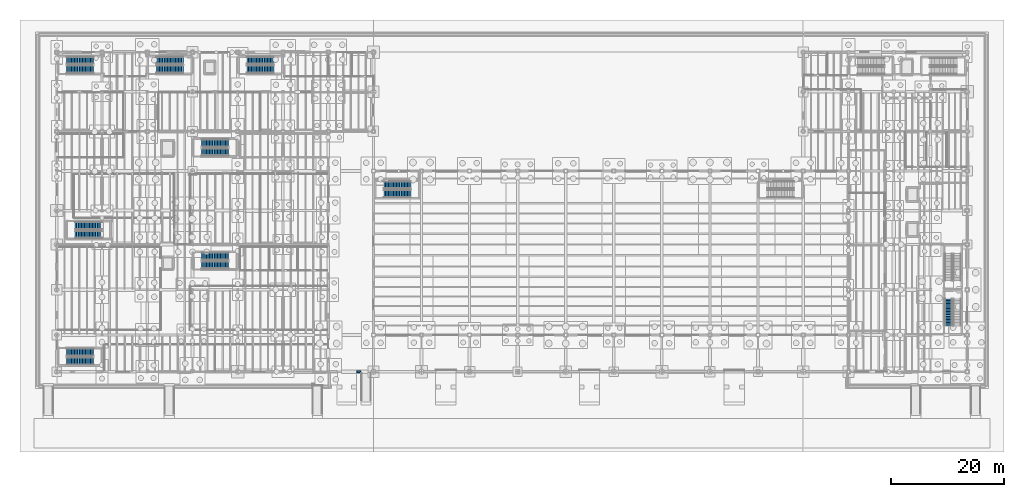
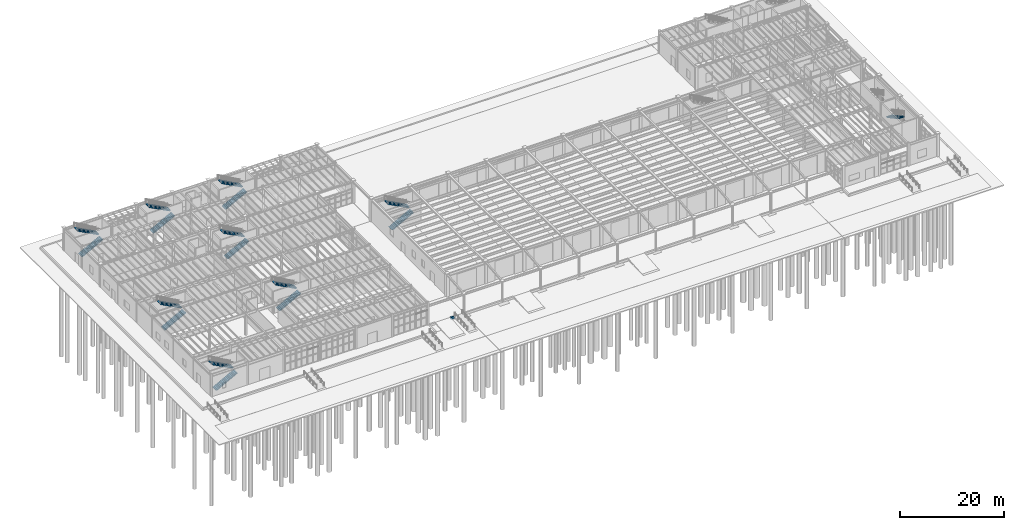
# One storey, part 72 of 86: 17 stair flights, 1 wall, 9 elements without a shape of their own.
"""IFC4 building model written with IfcOpenShell, lengths in metres."""

from ifc_helpers import new_model, si_unit, direction, frame, frame_2d, origin, place, context, subcontext, project, spatial, polyline, rectangle, outline, extrude, material, layer, layer_set, type_object, element, aggregate, save


model = new_model("IFC4")

# Units and contexts
model_context = context("Model", 3, precision=1e-05, world=origin(), true_north=direction((0.0, 1.0)))
body_context = subcontext(model_context, "Body", "Model", "MODEL_VIEW")
ifc_project = project(units=[si_unit("LENGTHUNIT", "METRE"), si_unit("AREAUNIT", "SQUARE_METRE"), si_unit("VOLUMEUNIT", "CUBIC_METRE"), si_unit("PLANEANGLEUNIT", "RADIAN"), si_unit("MASSUNIT", "GRAM", prefix="KILO"), si_unit("THERMODYNAMICTEMPERATUREUNIT", "KELVIN"), si_unit("POWERUNIT", "WATT")], contexts=[model_context])

# Site, building, storey
site_placement = place(None, origin())
site = spatial("IfcSite", under=ifc_project, at=site_placement, CompositionType="ELEMENT")
building_placement = place(site_placement, origin())
building = spatial("IfcBuilding", under=site, at=building_placement, Name="Zhenchuan Central Fire Station", CompositionType="ELEMENT")
storey_placement = place(building_placement, frame((0.0, 0.0, 0.449951171875)))
storey = spatial("IfcBuildingStorey", under=building, at=storey_placement, Name="L01", CompositionType="ELEMENT", Elevation=0.449951171875)

# Wall
ifc_material = material(Name="Concrete C35/45", Category="concrete")
ifc_layer = layer(ifc_material, 0.320068359375, Name="Concrete C35/45", Category="concrete")
ifc_layer_set = layer_set([ifc_layer], Name="Concrete C35/45")
wall_type = type_object("IfcWallType", Name="EW-PLN320", PredefinedType="SOLIDWALL", material=ifc_layer_set)
wall_placement = place(storey_placement, frame((53.00390625, 0.0, -0.449951171875), z_axis=(0.0, 0.0, 1.0), x_axis=(1.0, 0.0, 0.0)))
element("IfcWall", 1, at=wall_placement, inside=storey, type_object=wall_type, Name="Plinth Perimeter Retaining Stem Wall FC-02", PredefinedType="SOLIDWALL", context=body_context, shape_type="SweptSolid", body=[
    extrude(rectangle(XDim=0.7919921875, YDim=0.320068359375, at=frame_2d((0.39599609375, 0.0))), origin(), (0.0, 0.0, 1.0), 0.449951171875),
])

# Stair, stair flights
stair_type = type_object("IfcStairType", Name="ST-CORE-L01", PredefinedType="HALF_TURN_STAIR", material=ifc_material)
stair_1_placement = place(storey_placement, origin())
stair_1 = element("IfcStair", 2, at=stair_1_placement, inside=storey, type_object=stair_type, Name="L01 Gallery West Exit Stair", PredefinedType="HALF_TURN_STAIR")
stair_flight_type = type_object("IfcStairFlightType", Name="SFL-CORE-L01", PredefinedType="STRAIGHT", material=ifc_material)
stair_flight_1_placement = place(storey_placement, frame((1.75, 1.875, 0.0), z_axis=(0.0, 0.0, 1.0), x_axis=(1.0, 0.0, 0.0)))
stair_flight_1 = element("IfcStairFlight", 3, at=stair_flight_1_placement, type_object=stair_flight_type, Name="ST-01 flight 1", NumberOfRisers=18, NumberOfTreads=17, PredefinedType="STRAIGHT", RiserHeight=0.15, TreadLength=0.28, context=body_context, shape_type="SweptSolid", body=[
    extrude(outline(polyline([(0.0, 0.0), (0.0, 0.14990234375), (0.280029296875, 0.14990234375), (0.280029296875, 0.300048828125), (0.56005859375, 0.300048828125), (0.56005859375, 0.449951171875), (0.840087890625, 0.449951171875), (0.840087890625, 0.60009765625), (1.1201171875, 0.60009765625), (1.1201171875, 0.75), (1.39990234375, 0.75), (1.39990234375, 0.89990234375), (1.679931640625, 0.89990234375), (1.679931640625, 1.050048828125), (1.9599609375, 1.050048828125), (1.9599609375, 1.199951171875), (2.239990234375, 1.199951171875), (2.239990234375, 1.35009765625), (2.52001953125, 1.35009765625), (2.52001953125, 1.5), (2.800048828125, 1.5), (2.800048828125, 1.64990234375), (3.080078125, 1.64990234375), (3.080078125, 1.800048828125), (3.360107421875, 1.800048828125), (3.360107421875, 1.949951171875), (3.639892578125, 1.949951171875), (3.639892578125, 2.10009765625), (3.919921875, 2.10009765625), (3.919921875, 2.25), (4.199951171875, 2.25), (4.199951171875, 2.39990234375), (4.47998046875, 2.39990234375), (4.47998046875, 2.550048828125), (4.760009765625, 2.550048828125), (4.760009765625, 2.699951171875), (4.760009765625, 2.36865234375), (0.338623046875, 0.0), (0.0, 0.0)])), frame((0.0, 0.675048828125, 0.0), z_axis=(0.0, -1.0, 0.0), x_axis=(1.0, 0.0, 0.0)), (0.0, 0.0, 1.0), 1.35009765625),
])
stair_flight_2_placement = place(storey_placement, frame((6.510009765625, 3.425048828125, 2.699951171875), z_axis=(0.0, 0.0, 1.0), x_axis=(-1.0, 0.0, 0.0)))
stair_flight_2 = element("IfcStairFlight", 4, at=stair_flight_2_placement, type_object=stair_flight_type, Name="ST-01 flight 2", NumberOfRisers=18, NumberOfTreads=17, PredefinedType="STRAIGHT", RiserHeight=0.15, TreadLength=0.28, context=body_context, shape_type="SweptSolid", body=[
    extrude(outline(polyline([(0.0, 0.0), (0.0, 0.14990234375), (0.280029296875, 0.14990234375), (0.280029296875, 0.300048828125), (0.56005859375, 0.300048828125), (0.56005859375, 0.449951171875), (0.840087890625, 0.449951171875), (0.840087890625, 0.60009765625), (1.1201171875, 0.60009765625), (1.1201171875, 0.75), (1.39990234375, 0.75), (1.39990234375, 0.89990234375), (1.679931640625, 0.89990234375), (1.679931640625, 1.050048828125), (1.9599609375, 1.050048828125), (1.9599609375, 1.199951171875), (2.239990234375, 1.199951171875), (2.239990234375, 1.35009765625), (2.52001953125, 1.35009765625), (2.52001953125, 1.5), (2.800048828125, 1.5), (2.800048828125, 1.64990234375), (3.080078125, 1.64990234375), (3.080078125, 1.800048828125), (3.360107421875, 1.800048828125), (3.360107421875, 1.949951171875), (3.639892578125, 1.949951171875), (3.639892578125, 2.10009765625), (3.919921875, 2.10009765625), (3.919921875, 2.25), (4.199951171875, 2.25), (4.199951171875, 2.39990234375), (4.47998046875, 2.39990234375), (4.47998046875, 2.550048828125), (4.760009765625, 2.550048828125), (4.760009765625, 2.699951171875), (4.760009765625, 2.36865234375), (0.338623046875, 0.0), (0.0, 0.0)])), frame((0.0, 0.675048828125, 0.0), z_axis=(0.0, -1.0, 0.0), x_axis=(1.0, 0.0, 0.0)), (0.0, 0.0, 1.0), 1.35009765625),
])
aggregate(stair_1, [stair_flight_1, stair_flight_2])

stair_2_placement = place(storey_placement, origin())
stair_2 = element("IfcStair", 5, at=stair_2_placement, inside=storey, type_object=stair_type, Name="L01 Gallery East Exit Stair", PredefinedType="HALF_TURN_STAIR")
stair_flight_3_placement = place(storey_placement, frame((25.6201171875, 18.875, 0.0), z_axis=(0.0, 0.0, 1.0), x_axis=(1.0, 0.0, 0.0)))
stair_flight_3 = element("IfcStairFlight", 6, at=stair_flight_3_placement, type_object=stair_flight_type, Name="ST-02 flight 1", NumberOfRisers=18, NumberOfTreads=17, PredefinedType="STRAIGHT", RiserHeight=0.15, TreadLength=0.28, context=body_context, shape_type="SweptSolid", body=[
    extrude(outline(polyline([(0.0, 0.0), (0.0, 0.14990234375), (0.280029296875, 0.14990234375), (0.280029296875, 0.300048828125), (0.56005859375, 0.300048828125), (0.56005859375, 0.449951171875), (0.840087890625, 0.449951171875), (0.840087890625, 0.60009765625), (1.1201171875, 0.60009765625), (1.1201171875, 0.75), (1.39990234375, 0.75), (1.39990234375, 0.89990234375), (1.679931640625, 0.89990234375), (1.679931640625, 1.050048828125), (1.9599609375, 1.050048828125), (1.9599609375, 1.199951171875), (2.239990234375, 1.199951171875), (2.239990234375, 1.35009765625), (2.52001953125, 1.35009765625), (2.52001953125, 1.5), (2.800048828125, 1.5), (2.800048828125, 1.64990234375), (3.080078125, 1.64990234375), (3.080078125, 1.800048828125), (3.360107421875, 1.800048828125), (3.360107421875, 1.949951171875), (3.639892578125, 1.949951171875), (3.639892578125, 2.10009765625), (3.919921875, 2.10009765625), (3.919921875, 2.25), (4.199951171875, 2.25), (4.199951171875, 2.39990234375), (4.47998046875, 2.39990234375), (4.47998046875, 2.550048828125), (4.760009765625, 2.550048828125), (4.760009765625, 2.699951171875), (4.760009765625, 2.36865234375), (0.338623046875, 0.0), (0.0, 0.0)])), frame((0.0, 0.675048828125, 0.0), z_axis=(0.0, -1.0, 0.0), x_axis=(1.0, 0.0, 0.0)), (0.0, 0.0, 1.0), 1.35009765625),
])
stair_flight_4_placement = place(storey_placement, frame((30.3798828125, 20.425048828125, 2.699951171875), z_axis=(0.0, 0.0, 1.0), x_axis=(-1.0, 0.0, 0.0)))
stair_flight_4 = element("IfcStairFlight", 7, at=stair_flight_4_placement, type_object=stair_flight_type, Name="ST-02 flight 2", NumberOfRisers=18, NumberOfTreads=17, PredefinedType="STRAIGHT", RiserHeight=0.15, TreadLength=0.28, context=body_context, shape_type="SweptSolid", body=[
    extrude(outline(polyline([(0.0, 0.0), (0.0, 0.14990234375), (0.280029296875, 0.14990234375), (0.280029296875, 0.300048828125), (0.56005859375, 0.300048828125), (0.56005859375, 0.449951171875), (0.840087890625, 0.449951171875), (0.840087890625, 0.60009765625), (1.1201171875, 0.60009765625), (1.1201171875, 0.75), (1.39990234375, 0.75), (1.39990234375, 0.89990234375), (1.679931640625, 0.89990234375), (1.679931640625, 1.050048828125), (1.9599609375, 1.050048828125), (1.9599609375, 1.199951171875), (2.239990234375, 1.199951171875), (2.239990234375, 1.35009765625), (2.52001953125, 1.35009765625), (2.52001953125, 1.5), (2.800048828125, 1.5), (2.800048828125, 1.64990234375), (3.080078125, 1.64990234375), (3.080078125, 1.800048828125), (3.360107421875, 1.800048828125), (3.360107421875, 1.949951171875), (3.639892578125, 1.949951171875), (3.639892578125, 2.10009765625), (3.919921875, 2.10009765625), (3.919921875, 2.25), (4.199951171875, 2.25), (4.199951171875, 2.39990234375), (4.47998046875, 2.39990234375), (4.47998046875, 2.550048828125), (4.760009765625, 2.550048828125), (4.760009765625, 2.699951171875), (4.760009765625, 2.36865234375), (0.338623046875, 0.0), (0.0, 0.0)])), frame((0.0, 0.675048828125, 0.0), z_axis=(0.0, -1.0, 0.0), x_axis=(1.0, 0.0, 0.0)), (0.0, 0.0, 1.0), 1.35009765625),
])
aggregate(stair_2, [stair_flight_3, stair_flight_4])

stair_3_placement = place(storey_placement, origin())
stair_3 = element("IfcStair", 8, at=stair_3_placement, inside=storey, type_object=stair_type, Name="L01 Workshop West Exit Stair", PredefinedType="HALF_TURN_STAIR")
stair_flight_5_placement = place(storey_placement, frame((3.25, 24.27490234375, 0.0), z_axis=(0.0, 0.0, 1.0), x_axis=(1.0, 0.0, 0.0)))
stair_flight_5 = element("IfcStairFlight", 9, at=stair_flight_5_placement, type_object=stair_flight_type, Name="ST-03 flight 1", NumberOfRisers=18, NumberOfTreads=17, PredefinedType="STRAIGHT", RiserHeight=0.15, TreadLength=0.28, context=body_context, shape_type="SweptSolid", body=[
    extrude(outline(polyline([(0.0, 0.0), (0.0, 0.14990234375), (0.280029296875, 0.14990234375), (0.280029296875, 0.300048828125), (0.56005859375, 0.300048828125), (0.56005859375, 0.449951171875), (0.840087890625, 0.449951171875), (0.840087890625, 0.60009765625), (1.1201171875, 0.60009765625), (1.1201171875, 0.75), (1.39990234375, 0.75), (1.39990234375, 0.89990234375), (1.679931640625, 0.89990234375), (1.679931640625, 1.050048828125), (1.9599609375, 1.050048828125), (1.9599609375, 1.199951171875), (2.239990234375, 1.199951171875), (2.239990234375, 1.35009765625), (2.52001953125, 1.35009765625), (2.52001953125, 1.5), (2.800048828125, 1.5), (2.800048828125, 1.64990234375), (3.080078125, 1.64990234375), (3.080078125, 1.800048828125), (3.360107421875, 1.800048828125), (3.360107421875, 1.949951171875), (3.639892578125, 1.949951171875), (3.639892578125, 2.10009765625), (3.919921875, 2.10009765625), (3.919921875, 2.25), (4.199951171875, 2.25), (4.199951171875, 2.39990234375), (4.47998046875, 2.39990234375), (4.47998046875, 2.550048828125), (4.760009765625, 2.550048828125), (4.760009765625, 2.699951171875), (4.760009765625, 2.36865234375), (0.338623046875, 0.0), (0.0, 0.0)])), frame((0.0, 0.675048828125, 0.0), z_axis=(0.0, -1.0, 0.0), x_axis=(1.0, 0.0, 0.0)), (0.0, 0.0, 1.0), 1.35009765625),
])
stair_flight_6_placement = place(storey_placement, frame((8.010009765625, 25.824951171875, 2.699951171875), z_axis=(0.0, 0.0, 1.0), x_axis=(-1.0, 0.0, 0.0)))
stair_flight_6 = element("IfcStairFlight", 10, at=stair_flight_6_placement, type_object=stair_flight_type, Name="ST-03 flight 2", NumberOfRisers=18, NumberOfTreads=17, PredefinedType="STRAIGHT", RiserHeight=0.15, TreadLength=0.28, context=body_context, shape_type="SweptSolid", body=[
    extrude(outline(polyline([(0.0, 0.0), (0.0, 0.14990234375), (0.280029296875, 0.14990234375), (0.280029296875, 0.300048828125), (0.56005859375, 0.300048828125), (0.56005859375, 0.449951171875), (0.840087890625, 0.449951171875), (0.840087890625, 0.60009765625), (1.1201171875, 0.60009765625), (1.1201171875, 0.75), (1.39990234375, 0.75), (1.39990234375, 0.89990234375), (1.679931640625, 0.89990234375), (1.679931640625, 1.050048828125), (1.9599609375, 1.050048828125), (1.9599609375, 1.199951171875), (2.239990234375, 1.199951171875), (2.239990234375, 1.35009765625), (2.52001953125, 1.35009765625), (2.52001953125, 1.5), (2.800048828125, 1.5), (2.800048828125, 1.64990234375), (3.080078125, 1.64990234375), (3.080078125, 1.800048828125), (3.360107421875, 1.800048828125), (3.360107421875, 1.949951171875), (3.639892578125, 1.949951171875), (3.639892578125, 2.10009765625), (3.919921875, 2.10009765625), (3.919921875, 2.25), (4.199951171875, 2.25), (4.199951171875, 2.39990234375), (4.47998046875, 2.39990234375), (4.47998046875, 2.550048828125), (4.760009765625, 2.550048828125), (4.760009765625, 2.699951171875), (4.760009765625, 2.36865234375), (0.338623046875, 0.0), (0.0, 0.0)])), frame((0.0, 0.675048828125, 0.0), z_axis=(0.0, -1.0, 0.0), x_axis=(1.0, 0.0, 0.0)), (0.0, 0.0, 1.0), 1.35009765625),
])
aggregate(stair_3, [stair_flight_5, stair_flight_6])

stair_4_placement = place(storey_placement, origin())
stair_4 = element("IfcStair", 11, at=stair_4_placement, inside=storey, type_object=stair_type, Name="L01 Workshop East Exit Stair", PredefinedType="HALF_TURN_STAIR")
stair_flight_7_placement = place(storey_placement, frame((25.6201171875, 38.875, 0.0), z_axis=(0.0, 0.0, 1.0), x_axis=(1.0, 0.0, 0.0)))
stair_flight_7 = element("IfcStairFlight", 12, at=stair_flight_7_placement, type_object=stair_flight_type, Name="ST-04 flight 1", NumberOfRisers=18, NumberOfTreads=17, PredefinedType="STRAIGHT", RiserHeight=0.15, TreadLength=0.28, context=body_context, shape_type="SweptSolid", body=[
    extrude(outline(polyline([(0.0, 0.0), (0.0, 0.14990234375), (0.280029296875, 0.14990234375), (0.280029296875, 0.300048828125), (0.56005859375, 0.300048828125), (0.56005859375, 0.449951171875), (0.840087890625, 0.449951171875), (0.840087890625, 0.60009765625), (1.1201171875, 0.60009765625), (1.1201171875, 0.75), (1.39990234375, 0.75), (1.39990234375, 0.89990234375), (1.679931640625, 0.89990234375), (1.679931640625, 1.050048828125), (1.9599609375, 1.050048828125), (1.9599609375, 1.199951171875), (2.239990234375, 1.199951171875), (2.239990234375, 1.35009765625), (2.52001953125, 1.35009765625), (2.52001953125, 1.5), (2.800048828125, 1.5), (2.800048828125, 1.64990234375), (3.080078125, 1.64990234375), (3.080078125, 1.800048828125), (3.360107421875, 1.800048828125), (3.360107421875, 1.949951171875), (3.639892578125, 1.949951171875), (3.639892578125, 2.10009765625), (3.919921875, 2.10009765625), (3.919921875, 2.25), (4.199951171875, 2.25), (4.199951171875, 2.39990234375), (4.47998046875, 2.39990234375), (4.47998046875, 2.550048828125), (4.760009765625, 2.550048828125), (4.760009765625, 2.699951171875), (4.760009765625, 2.36865234375), (0.338623046875, 0.0), (0.0, 0.0)])), frame((0.0, 0.675048828125, 0.0), z_axis=(0.0, -1.0, 0.0), x_axis=(1.0, 0.0, 0.0)), (0.0, 0.0, 1.0), 1.35009765625),
])
stair_flight_8_placement = place(storey_placement, frame((30.3798828125, 40.425048828125, 2.699951171875), z_axis=(0.0, 0.0, 1.0), x_axis=(-1.0, 0.0, 0.0)))
stair_flight_8 = element("IfcStairFlight", 13, at=stair_flight_8_placement, type_object=stair_flight_type, Name="ST-04 flight 2", NumberOfRisers=18, NumberOfTreads=17, PredefinedType="STRAIGHT", RiserHeight=0.15, TreadLength=0.28, context=body_context, shape_type="SweptSolid", body=[
    extrude(outline(polyline([(0.0, 0.0), (0.0, 0.14990234375), (0.280029296875, 0.14990234375), (0.280029296875, 0.300048828125), (0.56005859375, 0.300048828125), (0.56005859375, 0.449951171875), (0.840087890625, 0.449951171875), (0.840087890625, 0.60009765625), (1.1201171875, 0.60009765625), (1.1201171875, 0.75), (1.39990234375, 0.75), (1.39990234375, 0.89990234375), (1.679931640625, 0.89990234375), (1.679931640625, 1.050048828125), (1.9599609375, 1.050048828125), (1.9599609375, 1.199951171875), (2.239990234375, 1.199951171875), (2.239990234375, 1.35009765625), (2.52001953125, 1.35009765625), (2.52001953125, 1.5), (2.800048828125, 1.5), (2.800048828125, 1.64990234375), (3.080078125, 1.64990234375), (3.080078125, 1.800048828125), (3.360107421875, 1.800048828125), (3.360107421875, 1.949951171875), (3.639892578125, 1.949951171875), (3.639892578125, 2.10009765625), (3.919921875, 2.10009765625), (3.919921875, 2.25), (4.199951171875, 2.25), (4.199951171875, 2.39990234375), (4.47998046875, 2.39990234375), (4.47998046875, 2.550048828125), (4.760009765625, 2.550048828125), (4.760009765625, 2.699951171875), (4.760009765625, 2.36865234375), (0.338623046875, 0.0), (0.0, 0.0)])), frame((0.0, 0.675048828125, 0.0), z_axis=(0.0, -1.0, 0.0), x_axis=(1.0, 0.0, 0.0)), (0.0, 0.0, 1.0), 1.35009765625),
])
aggregate(stair_4, [stair_flight_7, stair_flight_8])

stair_5_placement = place(storey_placement, origin())
stair_5 = element("IfcStair", 14, at=stair_5_placement, inside=storey, type_object=stair_type, Name="L01 Crew West Turnout Stair", PredefinedType="HALF_TURN_STAIR")
stair_flight_9_placement = place(storey_placement, frame((1.75, 53.47509765625, 0.0), z_axis=(0.0, 0.0, 1.0), x_axis=(1.0, 0.0, 0.0)))
stair_flight_9 = element("IfcStairFlight", 15, at=stair_flight_9_placement, type_object=stair_flight_type, Name="ST-05 flight 1", NumberOfRisers=18, NumberOfTreads=17, PredefinedType="STRAIGHT", RiserHeight=0.15, TreadLength=0.28, context=body_context, shape_type="SweptSolid", body=[
    extrude(outline(polyline([(0.0, 0.0), (0.0, 0.14990234375), (0.280029296875, 0.14990234375), (0.280029296875, 0.300048828125), (0.56005859375, 0.300048828125), (0.56005859375, 0.449951171875), (0.840087890625, 0.449951171875), (0.840087890625, 0.60009765625), (1.1201171875, 0.60009765625), (1.1201171875, 0.75), (1.39990234375, 0.75), (1.39990234375, 0.89990234375), (1.679931640625, 0.89990234375), (1.679931640625, 1.050048828125), (1.9599609375, 1.050048828125), (1.9599609375, 1.199951171875), (2.239990234375, 1.199951171875), (2.239990234375, 1.35009765625), (2.52001953125, 1.35009765625), (2.52001953125, 1.5), (2.800048828125, 1.5), (2.800048828125, 1.64990234375), (3.080078125, 1.64990234375), (3.080078125, 1.800048828125), (3.360107421875, 1.800048828125), (3.360107421875, 1.949951171875), (3.639892578125, 1.949951171875), (3.639892578125, 2.10009765625), (3.919921875, 2.10009765625), (3.919921875, 2.25), (4.199951171875, 2.25), (4.199951171875, 2.39990234375), (4.47998046875, 2.39990234375), (4.47998046875, 2.550048828125), (4.760009765625, 2.550048828125), (4.760009765625, 2.699951171875), (4.760009765625, 2.36865234375), (0.338623046875, 0.0), (0.0, 0.0)])), frame((0.0, 0.675048828125, 0.0), z_axis=(0.0, -1.0, 0.0), x_axis=(1.0, 0.0, 0.0)), (0.0, 0.0, 1.0), 1.35009765625),
])
stair_flight_10_placement = place(storey_placement, frame((6.510009765625, 55.02490234375, 2.699951171875), z_axis=(0.0, 0.0, 1.0), x_axis=(-1.0, 0.0, 0.0)))
stair_flight_10 = element("IfcStairFlight", 16, at=stair_flight_10_placement, type_object=stair_flight_type, Name="ST-05 flight 2", NumberOfRisers=18, NumberOfTreads=17, PredefinedType="STRAIGHT", RiserHeight=0.15, TreadLength=0.28, context=body_context, shape_type="SweptSolid", body=[
    extrude(outline(polyline([(0.0, 0.0), (0.0, 0.14990234375), (0.280029296875, 0.14990234375), (0.280029296875, 0.300048828125), (0.56005859375, 0.300048828125), (0.56005859375, 0.449951171875), (0.840087890625, 0.449951171875), (0.840087890625, 0.60009765625), (1.1201171875, 0.60009765625), (1.1201171875, 0.75), (1.39990234375, 0.75), (1.39990234375, 0.89990234375), (1.679931640625, 0.89990234375), (1.679931640625, 1.050048828125), (1.9599609375, 1.050048828125), (1.9599609375, 1.199951171875), (2.239990234375, 1.199951171875), (2.239990234375, 1.35009765625), (2.52001953125, 1.35009765625), (2.52001953125, 1.5), (2.800048828125, 1.5), (2.800048828125, 1.64990234375), (3.080078125, 1.64990234375), (3.080078125, 1.800048828125), (3.360107421875, 1.800048828125), (3.360107421875, 1.949951171875), (3.639892578125, 1.949951171875), (3.639892578125, 2.10009765625), (3.919921875, 2.10009765625), (3.919921875, 2.25), (4.199951171875, 2.25), (4.199951171875, 2.39990234375), (4.47998046875, 2.39990234375), (4.47998046875, 2.550048828125), (4.760009765625, 2.550048828125), (4.760009765625, 2.699951171875), (4.760009765625, 2.36865234375), (0.338623046875, 0.0), (0.0, 0.0)])), frame((0.0, 0.675048828125, 0.0), z_axis=(0.0, -1.0, 0.0), x_axis=(1.0, 0.0, 0.0)), (0.0, 0.0, 1.0), 1.35009765625),
])
aggregate(stair_5, [stair_flight_9, stair_flight_10])

stair_6_placement = place(storey_placement, origin())
stair_6 = element("IfcStair", 17, at=stair_6_placement, inside=storey, type_object=stair_type, Name="L01 Crew Central Turnout Stair", PredefinedType="HALF_TURN_STAIR")
stair_flight_11_placement = place(storey_placement, frame((17.6201171875, 53.47509765625, 0.0), z_axis=(0.0, 0.0, 1.0), x_axis=(1.0, 0.0, 0.0)))
stair_flight_11 = element("IfcStairFlight", 18, at=stair_flight_11_placement, type_object=stair_flight_type, Name="ST-06 flight 1", NumberOfRisers=18, NumberOfTreads=17, PredefinedType="STRAIGHT", RiserHeight=0.15, TreadLength=0.28, context=body_context, shape_type="SweptSolid", body=[
    extrude(outline(polyline([(0.0, 0.0), (0.0, 0.14990234375), (0.280029296875, 0.14990234375), (0.280029296875, 0.300048828125), (0.56005859375, 0.300048828125), (0.56005859375, 0.449951171875), (0.840087890625, 0.449951171875), (0.840087890625, 0.60009765625), (1.1201171875, 0.60009765625), (1.1201171875, 0.75), (1.39990234375, 0.75), (1.39990234375, 0.89990234375), (1.679931640625, 0.89990234375), (1.679931640625, 1.050048828125), (1.9599609375, 1.050048828125), (1.9599609375, 1.199951171875), (2.239990234375, 1.199951171875), (2.239990234375, 1.35009765625), (2.52001953125, 1.35009765625), (2.52001953125, 1.5), (2.800048828125, 1.5), (2.800048828125, 1.64990234375), (3.080078125, 1.64990234375), (3.080078125, 1.800048828125), (3.360107421875, 1.800048828125), (3.360107421875, 1.949951171875), (3.639892578125, 1.949951171875), (3.639892578125, 2.10009765625), (3.919921875, 2.10009765625), (3.919921875, 2.25), (4.199951171875, 2.25), (4.199951171875, 2.39990234375), (4.47998046875, 2.39990234375), (4.47998046875, 2.550048828125), (4.760009765625, 2.550048828125), (4.760009765625, 2.699951171875), (4.760009765625, 2.36865234375), (0.338623046875, 0.0), (0.0, 0.0)])), frame((0.0, 0.675048828125, 0.0), z_axis=(0.0, -1.0, 0.0), x_axis=(1.0, 0.0, 0.0)), (0.0, 0.0, 1.0), 1.35009765625),
])
stair_flight_12_placement = place(storey_placement, frame((22.3798828125, 55.02490234375, 2.699951171875), z_axis=(0.0, 0.0, 1.0), x_axis=(-1.0, 0.0, 0.0)))
stair_flight_12 = element("IfcStairFlight", 19, at=stair_flight_12_placement, type_object=stair_flight_type, Name="ST-06 flight 2", NumberOfRisers=18, NumberOfTreads=17, PredefinedType="STRAIGHT", RiserHeight=0.15, TreadLength=0.28, context=body_context, shape_type="SweptSolid", body=[
    extrude(outline(polyline([(0.0, 0.0), (0.0, 0.14990234375), (0.280029296875, 0.14990234375), (0.280029296875, 0.300048828125), (0.56005859375, 0.300048828125), (0.56005859375, 0.449951171875), (0.840087890625, 0.449951171875), (0.840087890625, 0.60009765625), (1.1201171875, 0.60009765625), (1.1201171875, 0.75), (1.39990234375, 0.75), (1.39990234375, 0.89990234375), (1.679931640625, 0.89990234375), (1.679931640625, 1.050048828125), (1.9599609375, 1.050048828125), (1.9599609375, 1.199951171875), (2.239990234375, 1.199951171875), (2.239990234375, 1.35009765625), (2.52001953125, 1.35009765625), (2.52001953125, 1.5), (2.800048828125, 1.5), (2.800048828125, 1.64990234375), (3.080078125, 1.64990234375), (3.080078125, 1.800048828125), (3.360107421875, 1.800048828125), (3.360107421875, 1.949951171875), (3.639892578125, 1.949951171875), (3.639892578125, 2.10009765625), (3.919921875, 2.10009765625), (3.919921875, 2.25), (4.199951171875, 2.25), (4.199951171875, 2.39990234375), (4.47998046875, 2.39990234375), (4.47998046875, 2.550048828125), (4.760009765625, 2.550048828125), (4.760009765625, 2.699951171875), (4.760009765625, 2.36865234375), (0.338623046875, 0.0), (0.0, 0.0)])), frame((0.0, 0.675048828125, 0.0), z_axis=(0.0, -1.0, 0.0), x_axis=(1.0, 0.0, 0.0)), (0.0, 0.0, 1.0), 1.35009765625),
])
aggregate(stair_6, [stair_flight_11, stair_flight_12])

stair_7_placement = place(storey_placement, origin())
stair_7 = element("IfcStair", 20, at=stair_7_placement, inside=storey, type_object=stair_type, Name="L01 Crew East Turnout Stair", PredefinedType="HALF_TURN_STAIR")
stair_flight_13_placement = place(storey_placement, frame((33.6201171875, 53.47509765625, 0.0), z_axis=(0.0, 0.0, 1.0), x_axis=(1.0, 0.0, 0.0)))
stair_flight_13 = element("IfcStairFlight", 21, at=stair_flight_13_placement, type_object=stair_flight_type, Name="ST-07 flight 1", NumberOfRisers=18, NumberOfTreads=17, PredefinedType="STRAIGHT", RiserHeight=0.15, TreadLength=0.28, context=body_context, shape_type="SweptSolid", body=[
    extrude(outline(polyline([(0.0, 0.0), (0.0, 0.14990234375), (0.280029296875, 0.14990234375), (0.280029296875, 0.300048828125), (0.56005859375, 0.300048828125), (0.56005859375, 0.449951171875), (0.840087890625, 0.449951171875), (0.840087890625, 0.60009765625), (1.1201171875, 0.60009765625), (1.1201171875, 0.75), (1.39990234375, 0.75), (1.39990234375, 0.89990234375), (1.679931640625, 0.89990234375), (1.679931640625, 1.050048828125), (1.9599609375, 1.050048828125), (1.9599609375, 1.199951171875), (2.239990234375, 1.199951171875), (2.239990234375, 1.35009765625), (2.52001953125, 1.35009765625), (2.52001953125, 1.5), (2.800048828125, 1.5), (2.800048828125, 1.64990234375), (3.080078125, 1.64990234375), (3.080078125, 1.800048828125), (3.360107421875, 1.800048828125), (3.360107421875, 1.949951171875), (3.639892578125, 1.949951171875), (3.639892578125, 2.10009765625), (3.919921875, 2.10009765625), (3.919921875, 2.25), (4.199951171875, 2.25), (4.199951171875, 2.39990234375), (4.47998046875, 2.39990234375), (4.47998046875, 2.550048828125), (4.760009765625, 2.550048828125), (4.760009765625, 2.699951171875), (4.760009765625, 2.36865234375), (0.338623046875, 0.0), (0.0, 0.0)])), frame((0.0, 0.675048828125, 0.0), z_axis=(0.0, -1.0, 0.0), x_axis=(1.0, 0.0, 0.0)), (0.0, 0.0, 1.0), 1.35009765625),
])
stair_flight_14_placement = place(storey_placement, frame((38.3798828125, 55.02490234375, 2.699951171875), z_axis=(0.0, 0.0, 1.0), x_axis=(-1.0, 0.0, 0.0)))
stair_flight_14 = element("IfcStairFlight", 22, at=stair_flight_14_placement, type_object=stair_flight_type, Name="ST-07 flight 2", NumberOfRisers=18, NumberOfTreads=17, PredefinedType="STRAIGHT", RiserHeight=0.15, TreadLength=0.28, context=body_context, shape_type="SweptSolid", body=[
    extrude(outline(polyline([(0.0, 0.0), (0.0, 0.14990234375), (0.280029296875, 0.14990234375), (0.280029296875, 0.300048828125), (0.56005859375, 0.300048828125), (0.56005859375, 0.449951171875), (0.840087890625, 0.449951171875), (0.840087890625, 0.60009765625), (1.1201171875, 0.60009765625), (1.1201171875, 0.75), (1.39990234375, 0.75), (1.39990234375, 0.89990234375), (1.679931640625, 0.89990234375), (1.679931640625, 1.050048828125), (1.9599609375, 1.050048828125), (1.9599609375, 1.199951171875), (2.239990234375, 1.199951171875), (2.239990234375, 1.35009765625), (2.52001953125, 1.35009765625), (2.52001953125, 1.5), (2.800048828125, 1.5), (2.800048828125, 1.64990234375), (3.080078125, 1.64990234375), (3.080078125, 1.800048828125), (3.360107421875, 1.800048828125), (3.360107421875, 1.949951171875), (3.639892578125, 1.949951171875), (3.639892578125, 2.10009765625), (3.919921875, 2.10009765625), (3.919921875, 2.25), (4.199951171875, 2.25), (4.199951171875, 2.39990234375), (4.47998046875, 2.39990234375), (4.47998046875, 2.550048828125), (4.760009765625, 2.550048828125), (4.760009765625, 2.699951171875), (4.760009765625, 2.36865234375), (0.338623046875, 0.0), (0.0, 0.0)])), frame((0.0, 0.675048828125, 0.0), z_axis=(0.0, -1.0, 0.0), x_axis=(1.0, 0.0, 0.0)), (0.0, 0.0, 1.0), 1.35009765625),
])
aggregate(stair_7, [stair_flight_13, stair_flight_14])

stair_8_placement = place(storey_placement, origin())
stair_8 = element("IfcStair", 23, at=stair_8_placement, inside=storey, type_object=stair_type, Name="L01 Appliance West Turnout Stair", PredefinedType="HALF_TURN_STAIR")
stair_flight_15_placement = place(storey_placement, frame((57.85009765625, 31.47509765625, 0.0), z_axis=(0.0, 0.0, 1.0), x_axis=(1.0, 0.0, 0.0)))
stair_flight_15 = element("IfcStairFlight", 24, at=stair_flight_15_placement, type_object=stair_flight_type, Name="ST-08 flight 1", NumberOfRisers=18, NumberOfTreads=17, PredefinedType="STRAIGHT", RiserHeight=0.15, TreadLength=0.28, context=body_context, shape_type="SweptSolid", body=[
    extrude(outline(polyline([(0.0, 0.0), (0.0, 0.14990234375), (0.280029296875, 0.14990234375), (0.280029296875, 0.300048828125), (0.56005859375, 0.300048828125), (0.56005859375, 0.449951171875), (0.840087890625, 0.449951171875), (0.840087890625, 0.60009765625), (1.1201171875, 0.60009765625), (1.1201171875, 0.75), (1.39990234375, 0.75), (1.39990234375, 0.89990234375), (1.679931640625, 0.89990234375), (1.679931640625, 1.050048828125), (1.9599609375, 1.050048828125), (1.9599609375, 1.199951171875), (2.239990234375, 1.199951171875), (2.239990234375, 1.35009765625), (2.52001953125, 1.35009765625), (2.52001953125, 1.5), (2.800048828125, 1.5), (2.800048828125, 1.64990234375), (3.080078125, 1.64990234375), (3.080078125, 1.800048828125), (3.360107421875, 1.800048828125), (3.360107421875, 1.949951171875), (3.639892578125, 1.949951171875), (3.639892578125, 2.10009765625), (3.919921875, 2.10009765625), (3.919921875, 2.25), (4.199951171875, 2.25), (4.199951171875, 2.39990234375), (4.47998046875, 2.39990234375), (4.47998046875, 2.550048828125), (4.760009765625, 2.550048828125), (4.760009765625, 2.699951171875), (4.760009765625, 2.36865234375), (0.338623046875, 0.0), (0.0, 0.0)])), frame((0.0, 0.675048828125, 0.0), z_axis=(0.0, -1.0, 0.0), x_axis=(1.0, 0.0, 0.0)), (0.0, 0.0, 1.0), 1.35009765625),
])
stair_flight_16_placement = place(storey_placement, frame((62.610107421875, 33.02490234375, 2.699951171875), z_axis=(0.0, 0.0, 1.0), x_axis=(-1.0, 0.0, 0.0)))
stair_flight_16 = element("IfcStairFlight", 25, at=stair_flight_16_placement, type_object=stair_flight_type, Name="ST-08 flight 2", NumberOfRisers=18, NumberOfTreads=17, PredefinedType="STRAIGHT", RiserHeight=0.15, TreadLength=0.28, context=body_context, shape_type="SweptSolid", body=[
    extrude(outline(polyline([(0.0, 0.0), (0.0, 0.14990234375), (0.280029296875, 0.14990234375), (0.280029296875, 0.300048828125), (0.56005859375, 0.300048828125), (0.56005859375, 0.449951171875), (0.840087890625, 0.449951171875), (0.840087890625, 0.60009765625), (1.1201171875, 0.60009765625), (1.1201171875, 0.75), (1.39990234375, 0.75), (1.39990234375, 0.89990234375), (1.679931640625, 0.89990234375), (1.679931640625, 1.050048828125), (1.9599609375, 1.050048828125), (1.9599609375, 1.199951171875), (2.239990234375, 1.199951171875), (2.239990234375, 1.35009765625), (2.52001953125, 1.35009765625), (2.52001953125, 1.5), (2.800048828125, 1.5), (2.800048828125, 1.64990234375), (3.080078125, 1.64990234375), (3.080078125, 1.800048828125), (3.360107421875, 1.800048828125), (3.360107421875, 1.949951171875), (3.639892578125, 1.949951171875), (3.639892578125, 2.10009765625), (3.919921875, 2.10009765625), (3.919921875, 2.25), (4.199951171875, 2.25), (4.199951171875, 2.39990234375), (4.47998046875, 2.39990234375), (4.47998046875, 2.550048828125), (4.760009765625, 2.550048828125), (4.760009765625, 2.699951171875), (4.760009765625, 2.36865234375), (0.338623046875, 0.0), (0.0, 0.0)])), frame((0.0, 0.675048828125, 0.0), z_axis=(0.0, -1.0, 0.0), x_axis=(1.0, 0.0, 0.0)), (0.0, 0.0, 1.0), 1.35009765625),
])
aggregate(stair_8, [stair_flight_15, stair_flight_16])

# Stair, stair flight
stair_9_placement = place(storey_placement, origin())
stair_9 = element("IfcStair", 26, at=stair_9_placement, inside=storey, type_object=stair_type, Name="L01 Headquarters South Exit Stair", PredefinedType="HALF_TURN_STAIR")
stair_flight_17_placement = place(storey_placement, frame((157.675048828125, 12.8798828125, 2.699951171875), z_axis=(0.0, 0.0, 1.0), x_axis=(0.0, -1.0, 0.0)))
stair_flight_17 = element("IfcStairFlight", 27, at=stair_flight_17_placement, type_object=stair_flight_type, Name="ST-10 flight 2", NumberOfRisers=18, NumberOfTreads=17, PredefinedType="STRAIGHT", RiserHeight=0.15, TreadLength=0.28, context=body_context, shape_type="SweptSolid", body=[
    extrude(outline(polyline([(0.0, 0.0), (0.0, 0.14990234375), (0.280029296875, 0.14990234375), (0.280029296875, 0.300048828125), (0.56005859375, 0.300048828125), (0.56005859375, 0.449951171875), (0.840087890625, 0.449951171875), (0.840087890625, 0.60009765625), (1.1201171875, 0.60009765625), (1.1201171875, 0.75), (1.39990234375, 0.75), (1.39990234375, 0.89990234375), (1.679931640625, 0.89990234375), (1.679931640625, 1.050048828125), (1.9599609375, 1.050048828125), (1.9599609375, 1.199951171875), (2.239990234375, 1.199951171875), (2.239990234375, 1.35009765625), (2.52001953125, 1.35009765625), (2.52001953125, 1.5), (2.800048828125, 1.5), (2.800048828125, 1.64990234375), (3.080078125, 1.64990234375), (3.080078125, 1.800048828125), (3.360107421875, 1.800048828125), (3.360107421875, 1.949951171875), (3.639892578125, 1.949951171875), (3.639892578125, 2.10009765625), (3.919921875, 2.10009765625), (3.919921875, 2.25), (4.199951171875, 2.25), (4.199951171875, 2.39990234375), (4.47998046875, 2.39990234375), (4.47998046875, 2.550048828125), (4.760009765625, 2.550048828125), (4.760009765625, 2.699951171875), (4.760009765625, 2.36865234375), (0.338623046875, 0.0), (0.0, 0.0)])), frame((0.0, 0.675048828125, 0.0), z_axis=(0.0, -1.0, 0.0), x_axis=(1.0, 0.0, 0.0)), (0.0, 0.0, 1.0), 1.35009765625),
])
aggregate(stair_9, [stair_flight_17])

save(model, "model.ifc")
